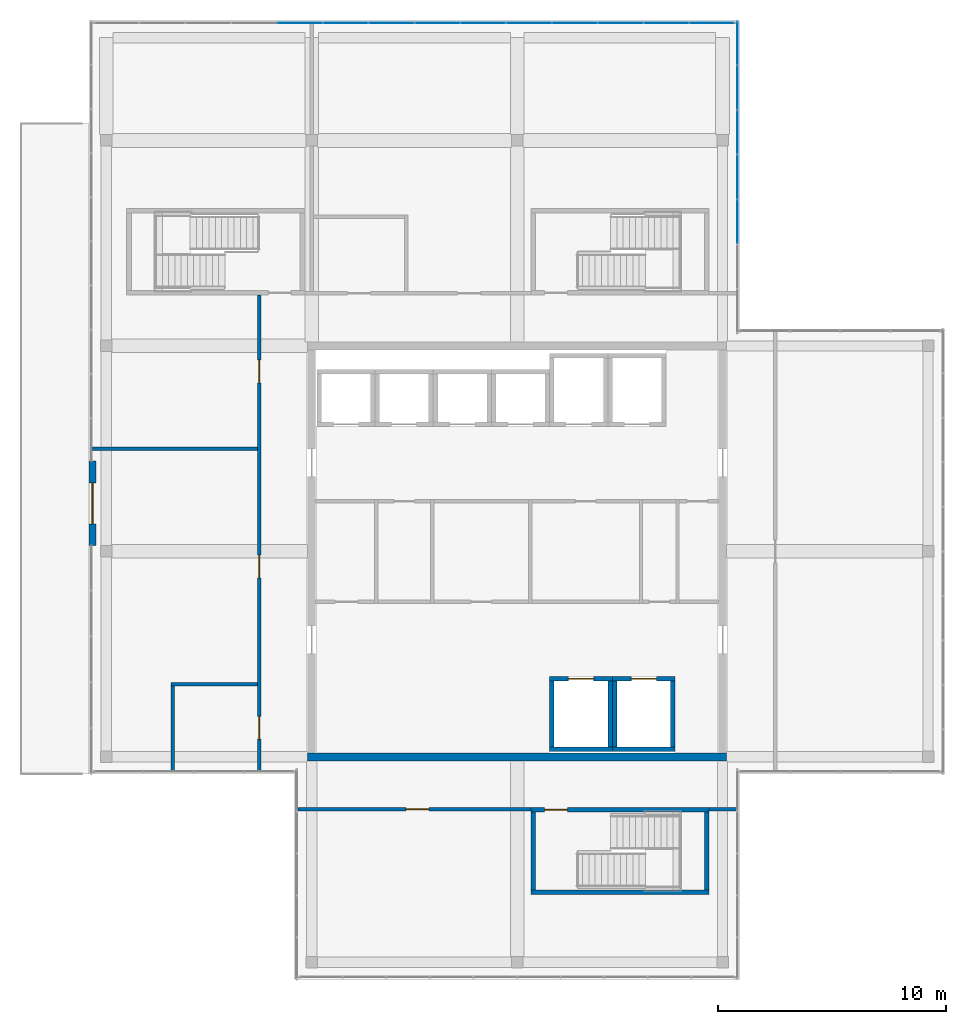
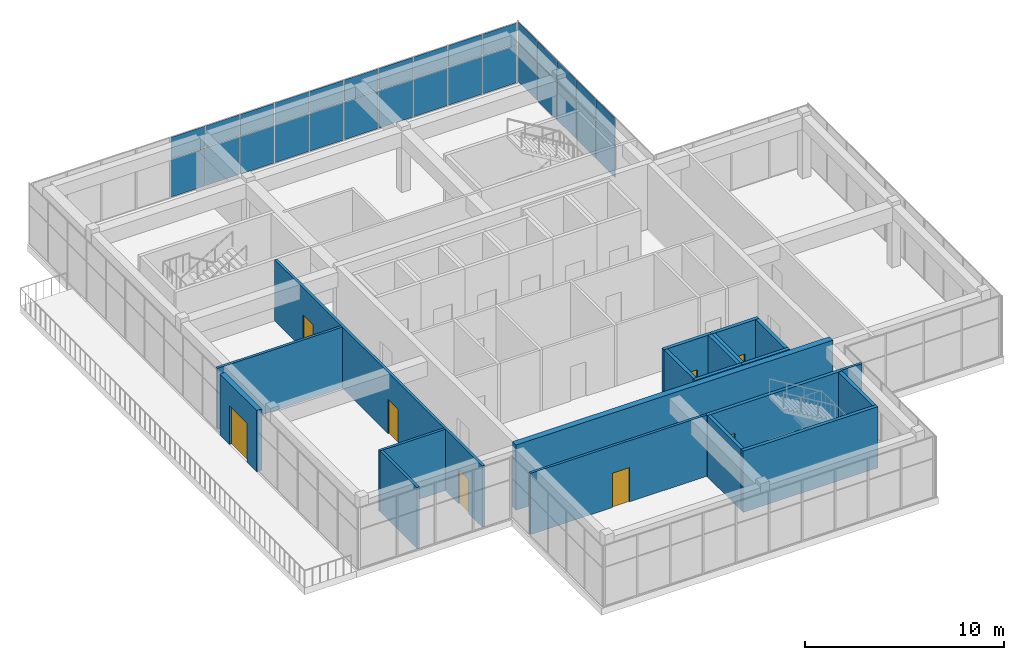
# One storey, part 30 of 34: 30 plates, 20 walls, 8 doors, 8 openings, 2 elements without a shape of their own.
"""IFC4 building model written with IfcOpenShell, lengths in metres."""

from ifc_helpers import new_model, si_unit, direction, frame, frame_2d, origin, origin_2d, place, context, subcontext, project, spatial, rectangle, extrude, material, layer, layer_set, type_object, element, fill, aggregate, save


model = new_model("IFC4")

# Units and contexts
model_context = context("Model", 3, precision=1e-05, world=origin(), true_north=direction((0.0, 1.0)))
body_context = subcontext(model_context, "Body", "Model", "MODEL_VIEW")
ifc_project = project(units=[si_unit("LENGTHUNIT", "METRE"), si_unit("AREAUNIT", "SQUARE_METRE"), si_unit("VOLUMEUNIT", "CUBIC_METRE"), si_unit("PLANEANGLEUNIT", "RADIAN"), si_unit("MASSUNIT", "GRAM", prefix="KILO")], contexts=[model_context])

# Site, building, storey
site_placement = place(None, origin())
site = spatial("IfcSite", under=ifc_project, at=site_placement, CompositionType="ELEMENT")
building_placement = place(site_placement, origin())
building = spatial("IfcBuilding", under=site, at=building_placement, Name="Tuart Plaza Theatre", CompositionType="ELEMENT")
storey_placement = place(building_placement, frame((0.0, 0.0, 53.5)))
storey = spatial("IfcBuildingStorey", under=building, at=storey_placement, Name="L13", CompositionType="ELEMENT", Elevation=53.5)

# Curtain wall, plates
ifc_material_1 = material(Name="Aluminium and glass", Category="aluminium")
ifc_layer_1 = layer(ifc_material_1, 0.10009765625)
ifc_layer_set_1 = layer_set([ifc_layer_1], Name="CURTAIN WALL 2000 module")
curtain_wall_type = type_object("IfcCurtainWallType", Name="CURTAIN WALL 2000 module", PredefinedType="NOTDEFINED", material=ifc_layer_set_1)
curtain_wall_1_placement = place(storey_placement, origin())
curtain_wall_1 = element("IfcCurtainWall", 1, at=curtain_wall_1_placement, inside=storey, type_object=curtain_wall_type, Name="CW116", PredefinedType="NOTDEFINED")
ifc_material_2 = material(Name="Glass", Category="glass")
ifc_layer_2 = layer(ifc_material_2, 0.028076171875)
ifc_layer_set_2 = layer_set([ifc_layer_2], Name="CURTAIN PANEL double glazed 28")
plate_type = type_object("IfcPlateType", Name="CURTAIN PANEL double glazed 28", PredefinedType="CURTAIN_PANEL", material=ifc_layer_set_2)
plate_1_placement = place(storey_placement, frame((141.64990234375, 88.44287109375, 0.0498046875), z_axis=(0.0, 0.0, 1.0), x_axis=(0.0, 1.0, 0.0)))
plate_1 = element("IfcPlate", 2, at=plate_1_placement, type_object=plate_type, Name="CW116 panel 3.1", PredefinedType="CURTAIN_PANEL", context=body_context, shape_type="SweptSolid", body=[
    extrude(rectangle(XDim=1.9072265625, YDim=0.028076171875, at=origin_2d()), origin(), (0.0, 0.0, 1.0), 2.324951171875),
])
plate_2_placement = place(storey_placement, frame((141.64990234375, 88.44287109375, 2.425048828125), z_axis=(0.0, 0.0, 1.0), x_axis=(0.0, 1.0, 0.0)))
plate_2 = element("IfcPlate", 3, at=plate_2_placement, type_object=plate_type, Name="CW116 panel 3.2", PredefinedType="CURTAIN_PANEL", context=body_context, shape_type="SweptSolid", body=[
    extrude(rectangle(XDim=1.9072265625, YDim=0.028076171875, at=origin_2d()), origin(), (0.0, 0.0, 1.0), 1.27490234375),
])
plate_3_placement = place(storey_placement, frame((141.64990234375, 90.39990234375, 0.0498046875), z_axis=(0.0, 0.0, 1.0), x_axis=(0.0, 1.0, 0.0)))
plate_3 = element("IfcPlate", 4, at=plate_3_placement, type_object=plate_type, Name="CW116 panel 4.1", PredefinedType="CURTAIN_PANEL", context=body_context, shape_type="SweptSolid", body=[
    extrude(rectangle(XDim=1.9072265625, YDim=0.028076171875, at=origin_2d()), origin(), (0.0, 0.0, 1.0), 2.324951171875),
])
plate_4_placement = place(storey_placement, frame((141.64990234375, 90.39990234375, 2.425048828125), z_axis=(0.0, 0.0, 1.0), x_axis=(0.0, 1.0, 0.0)))
plate_4 = element("IfcPlate", 5, at=plate_4_placement, type_object=plate_type, Name="CW116 panel 4.2", PredefinedType="CURTAIN_PANEL", context=body_context, shape_type="SweptSolid", body=[
    extrude(rectangle(XDim=1.9072265625, YDim=0.028076171875, at=origin_2d()), origin(), (0.0, 0.0, 1.0), 1.27490234375),
])
plate_5_placement = place(storey_placement, frame((141.64990234375, 92.357177734375, 0.0498046875), z_axis=(0.0, 0.0, 1.0), x_axis=(0.0, 1.0, 0.0)))
plate_5 = element("IfcPlate", 6, at=plate_5_placement, type_object=plate_type, Name="CW116 panel 5.1", PredefinedType="CURTAIN_PANEL", context=body_context, shape_type="SweptSolid", body=[
    extrude(rectangle(XDim=1.9072265625, YDim=0.028076171875, at=origin_2d()), origin(), (0.0, 0.0, 1.0), 2.324951171875),
])
plate_6_placement = place(storey_placement, frame((141.64990234375, 92.357177734375, 2.425048828125), z_axis=(0.0, 0.0, 1.0), x_axis=(0.0, 1.0, 0.0)))
plate_6 = element("IfcPlate", 7, at=plate_6_placement, type_object=plate_type, Name="CW116 panel 5.2", PredefinedType="CURTAIN_PANEL", context=body_context, shape_type="SweptSolid", body=[
    extrude(rectangle(XDim=1.9072265625, YDim=0.028076171875, at=origin_2d()), origin(), (0.0, 0.0, 1.0), 1.27490234375),
])
plate_7_placement = place(storey_placement, frame((141.64990234375, 94.314208984375, 0.0498046875), z_axis=(0.0, 0.0, 1.0), x_axis=(0.0, 1.0, 0.0)))
plate_7 = element("IfcPlate", 8, at=plate_7_placement, type_object=plate_type, Name="CW116 panel 6.1", PredefinedType="CURTAIN_PANEL", context=body_context, shape_type="SweptSolid", body=[
    extrude(rectangle(XDim=1.9072265625, YDim=0.028076171875, at=origin_2d()), origin(), (0.0, 0.0, 1.0), 2.324951171875),
])
plate_8_placement = place(storey_placement, frame((141.64990234375, 94.314208984375, 2.425048828125), z_axis=(0.0, 0.0, 1.0), x_axis=(0.0, 1.0, 0.0)))
plate_8 = element("IfcPlate", 9, at=plate_8_placement, type_object=plate_type, Name="CW116 panel 6.2", PredefinedType="CURTAIN_PANEL", context=body_context, shape_type="SweptSolid", body=[
    extrude(rectangle(XDim=1.9072265625, YDim=0.028076171875, at=origin_2d()), origin(), (0.0, 0.0, 1.0), 1.27490234375),
])
plate_9_placement = place(storey_placement, frame((141.64990234375, 96.259033203125, 0.0498046875), z_axis=(0.0, 0.0, 1.0), x_axis=(0.0, 1.0, 0.0)))
plate_9 = element("IfcPlate", 10, at=plate_9_placement, type_object=plate_type, Name="CW116 panel 7.1", PredefinedType="CURTAIN_PANEL", context=body_context, shape_type="SweptSolid", body=[
    extrude(rectangle(XDim=1.882080078125, YDim=0.028076171875, at=origin_2d()), origin(), (0.0, 0.0, 1.0), 2.324951171875),
])
plate_10_placement = place(storey_placement, frame((141.64990234375, 96.259033203125, 2.425048828125), z_axis=(0.0, 0.0, 1.0), x_axis=(0.0, 1.0, 0.0)))
plate_10 = element("IfcPlate", 11, at=plate_10_placement, type_object=plate_type, Name="CW116 panel 7.2", PredefinedType="CURTAIN_PANEL", context=body_context, shape_type="SweptSolid", body=[
    extrude(rectangle(XDim=1.882080078125, YDim=0.028076171875, at=origin_2d()), origin(), (0.0, 0.0, 1.0), 1.27490234375),
])
aggregate(curtain_wall_1, [plate_1, plate_2, plate_3, plate_4, plate_5, plate_6, plate_7, plate_8, plate_9, plate_10])

curtain_wall_2_placement = place(storey_placement, origin())
curtain_wall_2 = element("IfcCurtainWall", 12, at=curtain_wall_2_placement, inside=storey, type_object=curtain_wall_type, Name="CW117", PredefinedType="NOTDEFINED")
plate_11_placement = place(storey_placement, frame((140.533935546875, 97.14990234375, 0.0498046875), z_axis=(0.0, 0.0, 1.0), x_axis=(-1.0, 0.0, 0.0)))
plate_11 = element("IfcPlate", 13, at=plate_11_placement, type_object=plate_type, Name="CW117 panel 1.1", PredefinedType="CURTAIN_PANEL", context=body_context, shape_type="SweptSolid", body=[
    extrude(rectangle(XDim=1.93212890625, YDim=0.028076171875, at=origin_2d()), origin(), (0.0, 0.0, 1.0), 2.324951171875),
])
plate_12_placement = place(storey_placement, frame((140.533935546875, 97.14990234375, 2.425048828125), z_axis=(0.0, 0.0, 1.0), x_axis=(-1.0, 0.0, 0.0)))
plate_12 = element("IfcPlate", 14, at=plate_12_placement, type_object=plate_type, Name="CW117 panel 1.2", PredefinedType="CURTAIN_PANEL", context=body_context, shape_type="SweptSolid", body=[
    extrude(rectangle(XDim=1.93212890625, YDim=0.028076171875, at=origin_2d()), origin(), (0.0, 0.0, 1.0), 1.27490234375),
])
plate_13_placement = place(storey_placement, frame((138.539306640625, 97.14990234375, 0.0498046875), z_axis=(0.0, 0.0, 1.0), x_axis=(-1.0, 0.0, 0.0)))
plate_13 = element("IfcPlate", 15, at=plate_13_placement, type_object=plate_type, Name="CW117 panel 2.1", PredefinedType="CURTAIN_PANEL", context=body_context, shape_type="SweptSolid", body=[
    extrude(rectangle(XDim=1.95703125, YDim=0.028076171875, at=origin_2d()), origin(), (0.0, 0.0, 1.0), 2.324951171875),
])
plate_14_placement = place(storey_placement, frame((138.539306640625, 97.14990234375, 2.425048828125), z_axis=(0.0, 0.0, 1.0), x_axis=(-1.0, 0.0, 0.0)))
plate_14 = element("IfcPlate", 16, at=plate_14_placement, type_object=plate_type, Name="CW117 panel 2.2", PredefinedType="CURTAIN_PANEL", context=body_context, shape_type="SweptSolid", body=[
    extrude(rectangle(XDim=1.95703125, YDim=0.028076171875, at=origin_2d()), origin(), (0.0, 0.0, 1.0), 1.27490234375),
])
plate_15_placement = place(storey_placement, frame((136.5322265625, 97.14990234375, 0.0498046875), z_axis=(0.0, 0.0, 1.0), x_axis=(-1.0, 0.0, 0.0)))
plate_15 = element("IfcPlate", 17, at=plate_15_placement, type_object=plate_type, Name="CW117 panel 3.1", PredefinedType="CURTAIN_PANEL", context=body_context, shape_type="SweptSolid", body=[
    extrude(rectangle(XDim=1.95703125, YDim=0.028076171875, at=origin_2d()), origin(), (0.0, 0.0, 1.0), 2.324951171875),
])
plate_16_placement = place(storey_placement, frame((136.5322265625, 97.14990234375, 2.425048828125), z_axis=(0.0, 0.0, 1.0), x_axis=(-1.0, 0.0, 0.0)))
plate_16 = element("IfcPlate", 18, at=plate_16_placement, type_object=plate_type, Name="CW117 panel 3.2", PredefinedType="CURTAIN_PANEL", context=body_context, shape_type="SweptSolid", body=[
    extrude(rectangle(XDim=1.95703125, YDim=0.028076171875, at=origin_2d()), origin(), (0.0, 0.0, 1.0), 1.27490234375),
])
plate_17_placement = place(storey_placement, frame((134.52490234375, 97.14990234375, 0.0498046875), z_axis=(0.0, 0.0, 1.0), x_axis=(-1.0, 0.0, 0.0)))
plate_17 = element("IfcPlate", 19, at=plate_17_placement, type_object=plate_type, Name="CW117 panel 4.1", PredefinedType="CURTAIN_PANEL", context=body_context, shape_type="SweptSolid", body=[
    extrude(rectangle(XDim=1.95703125, YDim=0.028076171875, at=origin_2d()), origin(), (0.0, 0.0, 1.0), 2.324951171875),
])
plate_18_placement = place(storey_placement, frame((134.52490234375, 97.14990234375, 2.425048828125), z_axis=(0.0, 0.0, 1.0), x_axis=(-1.0, 0.0, 0.0)))
plate_18 = element("IfcPlate", 20, at=plate_18_placement, type_object=plate_type, Name="CW117 panel 4.2", PredefinedType="CURTAIN_PANEL", context=body_context, shape_type="SweptSolid", body=[
    extrude(rectangle(XDim=1.95703125, YDim=0.028076171875, at=origin_2d()), origin(), (0.0, 0.0, 1.0), 1.27490234375),
])
plate_19_placement = place(storey_placement, frame((132.517822265625, 97.14990234375, 0.0498046875), z_axis=(0.0, 0.0, 1.0), x_axis=(-1.0, 0.0, 0.0)))
plate_19 = element("IfcPlate", 21, at=plate_19_placement, type_object=plate_type, Name="CW117 panel 5.1", PredefinedType="CURTAIN_PANEL", context=body_context, shape_type="SweptSolid", body=[
    extrude(rectangle(XDim=1.95703125, YDim=0.028076171875, at=origin_2d()), origin(), (0.0, 0.0, 1.0), 2.324951171875),
])
plate_20_placement = place(storey_placement, frame((132.517822265625, 97.14990234375, 2.425048828125), z_axis=(0.0, 0.0, 1.0), x_axis=(-1.0, 0.0, 0.0)))
plate_20 = element("IfcPlate", 22, at=plate_20_placement, type_object=plate_type, Name="CW117 panel 5.2", PredefinedType="CURTAIN_PANEL", context=body_context, shape_type="SweptSolid", body=[
    extrude(rectangle(XDim=1.95703125, YDim=0.028076171875, at=origin_2d()), origin(), (0.0, 0.0, 1.0), 1.27490234375),
])
plate_21_placement = place(storey_placement, frame((130.5107421875, 97.14990234375, 0.0498046875), z_axis=(0.0, 0.0, 1.0), x_axis=(-1.0, 0.0, 0.0)))
plate_21 = element("IfcPlate", 23, at=plate_21_placement, type_object=plate_type, Name="CW117 panel 6.1", PredefinedType="CURTAIN_PANEL", context=body_context, shape_type="SweptSolid", body=[
    extrude(rectangle(XDim=1.95703125, YDim=0.028076171875, at=origin_2d()), origin(), (0.0, 0.0, 1.0), 2.324951171875),
])
plate_22_placement = place(storey_placement, frame((130.5107421875, 97.14990234375, 2.425048828125), z_axis=(0.0, 0.0, 1.0), x_axis=(-1.0, 0.0, 0.0)))
plate_22 = element("IfcPlate", 24, at=plate_22_placement, type_object=plate_type, Name="CW117 panel 6.2", PredefinedType="CURTAIN_PANEL", context=body_context, shape_type="SweptSolid", body=[
    extrude(rectangle(XDim=1.95703125, YDim=0.028076171875, at=origin_2d()), origin(), (0.0, 0.0, 1.0), 1.27490234375),
])
plate_23_placement = place(storey_placement, frame((128.503662109375, 97.14990234375, 0.0498046875), z_axis=(0.0, 0.0, 1.0), x_axis=(-1.0, 0.0, 0.0)))
plate_23 = element("IfcPlate", 25, at=plate_23_placement, type_object=plate_type, Name="CW117 panel 7.1", PredefinedType="CURTAIN_PANEL", context=body_context, shape_type="SweptSolid", body=[
    extrude(rectangle(XDim=1.95703125, YDim=0.028076171875, at=origin_2d()), origin(), (0.0, 0.0, 1.0), 2.324951171875),
])
plate_24_placement = place(storey_placement, frame((128.503662109375, 97.14990234375, 2.425048828125), z_axis=(0.0, 0.0, 1.0), x_axis=(-1.0, 0.0, 0.0)))
plate_24 = element("IfcPlate", 26, at=plate_24_placement, type_object=plate_type, Name="CW117 panel 7.2", PredefinedType="CURTAIN_PANEL", context=body_context, shape_type="SweptSolid", body=[
    extrude(rectangle(XDim=1.95703125, YDim=0.028076171875, at=origin_2d()), origin(), (0.0, 0.0, 1.0), 1.27490234375),
])
plate_25_placement = place(storey_placement, frame((126.496337890625, 97.14990234375, 0.0498046875), z_axis=(0.0, 0.0, 1.0), x_axis=(-1.0, 0.0, 0.0)))
plate_25 = element("IfcPlate", 27, at=plate_25_placement, type_object=plate_type, Name="CW117 panel 8.1", PredefinedType="CURTAIN_PANEL", context=body_context, shape_type="SweptSolid", body=[
    extrude(rectangle(XDim=1.95703125, YDim=0.028076171875, at=origin_2d()), origin(), (0.0, 0.0, 1.0), 2.324951171875),
])
plate_26_placement = place(storey_placement, frame((126.496337890625, 97.14990234375, 2.425048828125), z_axis=(0.0, 0.0, 1.0), x_axis=(-1.0, 0.0, 0.0)))
plate_26 = element("IfcPlate", 28, at=plate_26_placement, type_object=plate_type, Name="CW117 panel 8.2", PredefinedType="CURTAIN_PANEL", context=body_context, shape_type="SweptSolid", body=[
    extrude(rectangle(XDim=1.95703125, YDim=0.028076171875, at=origin_2d()), origin(), (0.0, 0.0, 1.0), 1.27490234375),
])
plate_27_placement = place(storey_placement, frame((124.4892578125, 97.14990234375, 0.0498046875), z_axis=(0.0, 0.0, 1.0), x_axis=(-1.0, 0.0, 0.0)))
plate_27 = element("IfcPlate", 29, at=plate_27_placement, type_object=plate_type, Name="CW117 panel 9.1", PredefinedType="CURTAIN_PANEL", context=body_context, shape_type="SweptSolid", body=[
    extrude(rectangle(XDim=1.95703125, YDim=0.028076171875, at=origin_2d()), origin(), (0.0, 0.0, 1.0), 2.324951171875),
])
plate_28_placement = place(storey_placement, frame((124.4892578125, 97.14990234375, 2.425048828125), z_axis=(0.0, 0.0, 1.0), x_axis=(-1.0, 0.0, 0.0)))
plate_28 = element("IfcPlate", 30, at=plate_28_placement, type_object=plate_type, Name="CW117 panel 9.2", PredefinedType="CURTAIN_PANEL", context=body_context, shape_type="SweptSolid", body=[
    extrude(rectangle(XDim=1.95703125, YDim=0.028076171875, at=origin_2d()), origin(), (0.0, 0.0, 1.0), 1.27490234375),
])
plate_29_placement = place(storey_placement, frame((122.482177734375, 97.14990234375, 0.0498046875), z_axis=(0.0, 0.0, 1.0), x_axis=(-1.0, 0.0, 0.0)))
plate_29 = element("IfcPlate", 31, at=plate_29_placement, type_object=plate_type, Name="CW117 panel 10.1", PredefinedType="CURTAIN_PANEL", context=body_context, shape_type="SweptSolid", body=[
    extrude(rectangle(XDim=1.95703125, YDim=0.028076171875, at=origin_2d()), origin(), (0.0, 0.0, 1.0), 2.324951171875),
])
plate_30_placement = place(storey_placement, frame((122.482177734375, 97.14990234375, 2.425048828125), z_axis=(0.0, 0.0, 1.0), x_axis=(-1.0, 0.0, 0.0)))
plate_30 = element("IfcPlate", 32, at=plate_30_placement, type_object=plate_type, Name="CW117 panel 10.2", PredefinedType="CURTAIN_PANEL", context=body_context, shape_type="SweptSolid", body=[
    extrude(rectangle(XDim=1.95703125, YDim=0.028076171875, at=origin_2d()), origin(), (0.0, 0.0, 1.0), 1.27490234375),
])
aggregate(curtain_wall_2, [plate_11, plate_12, plate_13, plate_14, plate_15, plate_16, plate_17, plate_18, plate_19, plate_20, plate_21, plate_22, plate_23, plate_24, plate_25, plate_26, plate_27, plate_28, plate_29, plate_30])

# Wall, opening, door
ifc_material_3 = material(Name="Masonry block", Category="masonry")
ifc_layer_3 = layer(ifc_material_3, 0.14990234375)
ifc_layer_set_3 = layer_set([ifc_layer_3], Name="PARTITION BLK150 MASONRYB FRL 120/-/-")
wall_type_1 = type_object("IfcWallType", Name="PARTITION BLK150 MASONRYB FRL 120/-/-", PredefinedType="PARTITIONING", material=ifc_layer_set_3)
wall_1_placement = place(storey_placement, frame((132.60009765625, 62.699951171875, 0.0), z_axis=(0.0, 0.0, 1.0), x_axis=(-1.0, 0.0, 0.0)))
wall_1 = element("IfcWall", 33, at=wall_1_placement, inside=storey, type_object=wall_type_1, Name="P709", PredefinedType="PARTITIONING", context=body_context, shape_type="SweptSolid", body=[
    extrude(rectangle(XDim=10.2001953125, YDim=0.14990234375, at=frame_2d((5.10009765625, 0.0))), origin(), (0.0, 0.0, 1.0), 3.75),
])
opening_1_placement = place(wall_1_placement, frame((4.465087890625, 0.0, 0.0)))
opening_1 = element("IfcOpeningElement", 34, at=opening_1_placement, cuts=wall_1, Name="Opening L13-025", PredefinedType="OPENING", context=body_context, shape_type="SweptSolid", body=[
    extrude(rectangle(XDim=1.0, YDim=2.10009765625, at=frame_2d((0.5, 1.050048828125))), frame((0.0, 0.0849609375, 0.0), z_axis=(0.0, -1.0, 0.0), x_axis=(1.0, 0.0, 0.0)), (0.0, 0.0, 1.0), 0.169921875),
])
ifc_material_4 = material(Name="Timber", Category="wood")
door_type_1 = type_object("IfcDoorType", Name="DOOR 1000x2100 timber single swing FRL -/60/30", OperationType="SINGLE_SWING_LEFT", PredefinedType="DOOR", material=ifc_material_4)
door_1_placement = place(opening_1_placement, origin())
door_1 = element("IfcDoor", 35, at=door_1_placement, inside=storey, type_object=door_type_1, Name="L13-025", OperationType="SINGLE_SWING_RIGHT", OverallHeight=2.10009765625, OverallWidth=1.0, PredefinedType="DOOR", context=body_context, shape_type="SweptSolid", body=[
    extrude(rectangle(XDim=1.0, YDim=2.10009765625, at=frame_2d((0.5, 1.050048828125))), frame((0.0, 0.02490234375, 0.0), z_axis=(0.0, -1.0, 0.0), x_axis=(1.0, 0.0, 0.0)), (0.0, 0.0, 1.0), 0.050048828125),
])
fill(opening_1, door_1)

# Wall
wall_2_placement = place(storey_placement, frame((141.60009765625, 62.699951171875, 0.0), z_axis=(0.0, 0.0, 1.0), x_axis=(-1.0, 0.0, 0.0)))
element("IfcWall", 36, at=wall_2_placement, inside=storey, type_object=wall_type_1, Name="P710", PredefinedType="PARTITIONING", context=body_context, shape_type="SweptSolid", body=[
    extrude(rectangle(XDim=1.2001953125, YDim=0.14990234375, at=frame_2d((0.60009765625, 0.0))), origin(), (0.0, 0.0, 1.0), 3.75),
])

# Wall, openings, doors
wall_3_placement = place(storey_placement, frame((120.699951171875, 64.39990234375, 0.0), z_axis=(0.0, 0.0, 1.0), x_axis=(0.0, 1.0, 0.0)))
wall_3 = element("IfcWall", 37, at=wall_3_placement, inside=storey, type_object=wall_type_1, Name="P711", PredefinedType="PARTITIONING", context=body_context, shape_type="SweptSolid", body=[
    extrude(rectangle(XDim=20.8251953125, YDim=0.14990234375, at=frame_2d((10.41259765625, 0.0))), origin(), (0.0, 0.0, 1.0), 3.75),
])
opening_2_placement = place(wall_3_placement, frame((1.375, 0.0, 0.0)))
opening_2 = element("IfcOpeningElement", 38, at=opening_2_placement, cuts=wall_3, Name="Opening L13-023", PredefinedType="OPENING", context=body_context, shape_type="SweptSolid", body=[
    extrude(rectangle(XDim=1.0, YDim=2.10009765625, at=frame_2d((0.5, 1.050048828125))), frame((0.0, 0.0849609375, 0.0), z_axis=(0.0, -1.0, 0.0), x_axis=(1.0, 0.0, 0.0)), (0.0, 0.0, 1.0), 0.169921875),
])
opening_3_placement = place(wall_3_placement, frame((8.4375, 0.0, 0.0)))
opening_3 = element("IfcOpeningElement", 39, at=opening_3_placement, cuts=wall_3, Name="Opening L13-026", PredefinedType="OPENING", context=body_context, shape_type="SweptSolid", body=[
    extrude(rectangle(XDim=1.0, YDim=2.10009765625, at=frame_2d((0.5, 1.050048828125))), frame((0.0, 0.0849609375, 0.0), z_axis=(0.0, -1.0, 0.0), x_axis=(1.0, 0.0, 0.0)), (0.0, 0.0, 1.0), 0.169921875),
])
opening_4_placement = place(wall_3_placement, frame((16.985107421875, 0.0, 0.0)))
opening_4 = element("IfcOpeningElement", 40, at=opening_4_placement, cuts=wall_3, Name="Opening L13-028", PredefinedType="OPENING", context=body_context, shape_type="SweptSolid", body=[
    extrude(rectangle(XDim=1.0, YDim=2.10009765625, at=frame_2d((0.5, 1.050048828125))), frame((0.0, 0.0849609375, 0.0), z_axis=(0.0, -1.0, 0.0), x_axis=(1.0, 0.0, 0.0)), (0.0, 0.0, 1.0), 0.169921875),
])
door_2_placement = place(opening_2_placement, origin())
door_2 = element("IfcDoor", 41, at=door_2_placement, inside=storey, type_object=door_type_1, Name="L13-023", OperationType="SINGLE_SWING_LEFT", OverallHeight=2.10009765625, OverallWidth=1.0, PredefinedType="DOOR", context=body_context, shape_type="SweptSolid", body=[
    extrude(rectangle(XDim=1.0, YDim=2.10009765625, at=frame_2d((0.5, 1.050048828125))), frame((0.0, 0.02490234375, 0.0), z_axis=(0.0, -1.0, 0.0), x_axis=(1.0, 0.0, 0.0)), (0.0, 0.0, 1.0), 0.050048828125),
])
fill(opening_2, door_2)
door_3_placement = place(opening_3_placement, origin())
door_3 = element("IfcDoor", 42, at=door_3_placement, inside=storey, type_object=door_type_1, Name="L13-026", OperationType="SINGLE_SWING_RIGHT", OverallHeight=2.10009765625, OverallWidth=1.0, PredefinedType="DOOR", context=body_context, shape_type="SweptSolid", body=[
    extrude(rectangle(XDim=1.0, YDim=2.10009765625, at=frame_2d((0.5, 1.050048828125))), frame((0.0, 0.02490234375, 0.0), z_axis=(0.0, -1.0, 0.0), x_axis=(1.0, 0.0, 0.0)), (0.0, 0.0, 1.0), 0.050048828125),
])
fill(opening_3, door_3)
door_4_placement = place(opening_4_placement, origin())
door_4 = element("IfcDoor", 43, at=door_4_placement, inside=storey, type_object=door_type_1, Name="L13-028", OperationType="SINGLE_SWING_LEFT", OverallHeight=2.10009765625, OverallWidth=1.0, PredefinedType="DOOR", context=body_context, shape_type="SweptSolid", body=[
    extrude(rectangle(XDim=1.0, YDim=2.10009765625, at=frame_2d((0.5, 1.050048828125))), frame((0.0, 0.02490234375, 0.0), z_axis=(0.0, -1.0, 0.0), x_axis=(1.0, 0.0, 0.0)), (0.0, 0.0, 1.0), 0.050048828125),
])
fill(opening_4, door_4)

# Walls
wall_4_placement = place(storey_placement, frame((113.39990234375, 78.5, 0.0), z_axis=(0.0, 0.0, 1.0), x_axis=(1.0, 0.0, 0.0)))
element("IfcWall", 44, at=wall_4_placement, inside=storey, type_object=wall_type_1, Name="P716", PredefinedType="PARTITIONING", context=body_context, shape_type="SweptSolid", body=[
    extrude(rectangle(XDim=7.22607421875, YDim=0.14990234375, at=frame_2d((3.613037109375, 0.0))), origin(), (0.0, 0.0, 1.0), 3.75),
])
wall_5_placement = place(storey_placement, frame((116.925048828125, 64.39990234375, 0.0), z_axis=(0.0, 0.0, 1.0), x_axis=(0.0, 1.0, 0.0)))
element("IfcWall", 45, at=wall_5_placement, inside=storey, type_object=wall_type_1, Name="P717", PredefinedType="PARTITIONING", context=body_context, shape_type="SweptSolid", body=[
    extrude(rectangle(XDim=3.7001953125, YDim=0.14990234375, at=frame_2d((1.85009765625, 0.0))), origin(), (0.0, 0.0, 1.0), 3.75),
])
wall_6_placement = place(storey_placement, frame((120.625, 68.175048828125, 0.0), z_axis=(0.0, 0.0, 1.0), x_axis=(-1.0, 0.0, 0.0)))
element("IfcWall", 46, at=wall_6_placement, inside=storey, type_object=wall_type_1, Name="P718", PredefinedType="PARTITIONING", context=body_context, shape_type="SweptSolid", body=[
    extrude(rectangle(XDim=3.77490234375, YDim=0.14990234375, at=frame_2d((1.887451171875, 0.0))), origin(), (0.0, 0.0, 1.0), 3.75),
])
ifc_material_5 = material(Name="Concrete N40 (40 MPa)", Category="concrete")
ifc_layer_4 = layer(ifc_material_5, 0.199951171875)
ifc_layer_set_4 = layer_set([ifc_layer_4], Name="SHEAR WALL RC200 FRL 120/120/120")
wall_type_2 = type_object("IfcWallType", Name="SHEAR WALL RC200 FRL 120/120/120", PredefinedType="SHEAR", material=ifc_layer_set_4)
wall_7_placement = place(storey_placement, frame((133.425048828125, 65.324951171875, 0.0), z_axis=(0.0, 0.0, 1.0), x_axis=(1.0, 0.0, 0.0)))
element("IfcWall", 47, at=wall_7_placement, inside=storey, type_object=wall_type_2, Name="W1066", PredefinedType="SHEAR", context=body_context, shape_type="SweptSolid", body=[
    extrude(rectangle(XDim=2.75, YDim=0.199951171875, at=frame_2d((1.375, 0.0))), origin(), (0.0, 0.0, 1.0), 4.0),
])
wall_8_placement = place(storey_placement, frame((136.074951171875, 65.425048828125, 0.0), z_axis=(0.0, 0.0, 1.0), x_axis=(0.0, 1.0, 0.0)))
element("IfcWall", 48, at=wall_8_placement, inside=storey, type_object=wall_type_2, Name="W1067", PredefinedType="SHEAR", context=body_context, shape_type="SweptSolid", body=[
    extrude(rectangle(XDim=2.89990234375, YDim=0.199951171875, at=frame_2d((1.449951171875, 0.0))), origin(), (0.0, 0.0, 1.0), 4.0),
])

# Wall, opening, door
wall_9_placement = place(storey_placement, frame((136.175048828125, 68.425048828125, 0.0), z_axis=(0.0, 0.0, 1.0), x_axis=(-1.0, 0.0, 0.0)))
wall_9 = element("IfcWall", 49, at=wall_9_placement, inside=storey, type_object=wall_type_2, Name="W1068", PredefinedType="SHEAR", context=body_context, shape_type="SweptSolid", body=[
    extrude(rectangle(XDim=2.75, YDim=0.199951171875, at=frame_2d((1.375, 0.0))), origin(), (0.0, 0.0, 1.0), 4.0),
])
opening_5_placement = place(wall_9_placement, frame((0.824951171875, 0.0, 0.0)))
opening_5 = element("IfcOpeningElement", 50, at=opening_5_placement, cuts=wall_9, Name="Opening L13-006", PredefinedType="OPENING", context=body_context, shape_type="SweptSolid", body=[
    extrude(rectangle(XDim=1.10009765625, YDim=2.10009765625, at=frame_2d((0.550048828125, 1.050048828125))), frame((0.0, 0.10986328125, 0.0), z_axis=(0.0, -1.0, 0.0), x_axis=(1.0, 0.0, 0.0)), (0.0, 0.0, 1.0), 0.219970703125),
])
ifc_material_6 = material(Name="Steel Grade 300", Category="steel")
door_type_2 = type_object("IfcDoorType", Name="LANDING DOOR 1100x2100 steel sliding FRL -/120/30", OperationType="SLIDING_TO_LEFT", PredefinedType="DOOR", material=ifc_material_6)
door_5_placement = place(opening_5_placement, origin())
door_5 = element("IfcDoor", 51, at=door_5_placement, inside=storey, type_object=door_type_2, Name="L13-006", OperationType="SLIDING_TO_LEFT", OverallHeight=2.10009765625, OverallWidth=1.10009765625, PredefinedType="DOOR", context=body_context, shape_type="SweptSolid", body=[
    extrude(rectangle(XDim=1.10009765625, YDim=2.10009765625, at=frame_2d((0.550048828125, 1.050048828125))), frame((0.0, 0.02490234375, 0.0), z_axis=(0.0, -1.0, 0.0), x_axis=(1.0, 0.0, 0.0)), (0.0, 0.0, 1.0), 0.050048828125),
])
fill(opening_5, door_5)

# Walls
wall_10_placement = place(storey_placement, frame((133.52490234375, 68.324951171875, 0.0), z_axis=(0.0, 0.0, 1.0), x_axis=(0.0, -1.0, 0.0)))
element("IfcWall", 52, at=wall_10_placement, inside=storey, type_object=wall_type_2, Name="W1069", PredefinedType="SHEAR", context=body_context, shape_type="SweptSolid", body=[
    extrude(rectangle(XDim=2.89990234375, YDim=0.199951171875, at=frame_2d((1.449951171875, 0.0))), origin(), (0.0, 0.0, 1.0), 4.0),
])
wall_11_placement = place(storey_placement, frame((136.175048828125, 65.324951171875, 0.0), z_axis=(0.0, 0.0, 1.0), x_axis=(1.0, 0.0, 0.0)))
element("IfcWall", 53, at=wall_11_placement, inside=storey, type_object=wall_type_2, Name="W1142", PredefinedType="SHEAR", context=body_context, shape_type="SweptSolid", body=[
    extrude(rectangle(XDim=2.75, YDim=0.199951171875, at=frame_2d((1.375, 0.0))), origin(), (0.0, 0.0, 1.0), 4.0),
])
wall_12_placement = place(storey_placement, frame((138.824951171875, 65.425048828125, 0.0), z_axis=(0.0, 0.0, 1.0), x_axis=(0.0, 1.0, 0.0)))
element("IfcWall", 54, at=wall_12_placement, inside=storey, type_object=wall_type_2, Name="W1143", PredefinedType="SHEAR", context=body_context, shape_type="SweptSolid", body=[
    extrude(rectangle(XDim=2.89990234375, YDim=0.199951171875, at=frame_2d((1.449951171875, 0.0))), origin(), (0.0, 0.0, 1.0), 4.0),
])

# Wall, opening, door
wall_13_placement = place(storey_placement, frame((138.925048828125, 68.425048828125, 0.0), z_axis=(0.0, 0.0, 1.0), x_axis=(-1.0, 0.0, 0.0)))
wall_13 = element("IfcWall", 55, at=wall_13_placement, inside=storey, type_object=wall_type_2, Name="W1144", PredefinedType="SHEAR", context=body_context, shape_type="SweptSolid", body=[
    extrude(rectangle(XDim=2.75, YDim=0.199951171875, at=frame_2d((1.375, 0.0))), origin(), (0.0, 0.0, 1.0), 4.0),
])
opening_6_placement = place(wall_13_placement, frame((0.824951171875, 0.0, 0.0)))
opening_6 = element("IfcOpeningElement", 56, at=opening_6_placement, cuts=wall_13, Name="Opening L13-007", PredefinedType="OPENING", context=body_context, shape_type="SweptSolid", body=[
    extrude(rectangle(XDim=1.10009765625, YDim=2.10009765625, at=frame_2d((0.550048828125, 1.050048828125))), frame((0.0, 0.10986328125, 0.0), z_axis=(0.0, -1.0, 0.0), x_axis=(1.0, 0.0, 0.0)), (0.0, 0.0, 1.0), 0.219970703125),
])
door_6_placement = place(opening_6_placement, origin())
door_6 = element("IfcDoor", 57, at=door_6_placement, inside=storey, type_object=door_type_2, Name="L13-007", OperationType="SLIDING_TO_LEFT", OverallHeight=2.10009765625, OverallWidth=1.10009765625, PredefinedType="DOOR", context=body_context, shape_type="SweptSolid", body=[
    extrude(rectangle(XDim=1.10009765625, YDim=2.10009765625, at=frame_2d((0.550048828125, 1.050048828125))), frame((0.0, 0.02490234375, 0.0), z_axis=(0.0, -1.0, 0.0), x_axis=(1.0, 0.0, 0.0)), (0.0, 0.0, 1.0), 0.050048828125),
])
fill(opening_6, door_6)

# Walls
wall_14_placement = place(storey_placement, frame((136.27490234375, 68.324951171875, 0.0), z_axis=(0.0, 0.0, 1.0), x_axis=(0.0, -1.0, 0.0)))
element("IfcWall", 58, at=wall_14_placement, inside=storey, type_object=wall_type_2, Name="W1145", PredefinedType="SHEAR", context=body_context, shape_type="SweptSolid", body=[
    extrude(rectangle(XDim=2.89990234375, YDim=0.199951171875, at=frame_2d((1.449951171875, 0.0))), origin(), (0.0, 0.0, 1.0), 4.0),
])
wall_15_placement = place(storey_placement, frame((132.60009765625, 59.074951171875, 0.0), z_axis=(0.0, 0.0, 1.0), x_axis=(1.0, 0.0, 0.0)))
element("IfcWall", 59, at=wall_15_placement, inside=storey, type_object=wall_type_2, Name="P412", PredefinedType="SHEAR", context=body_context, shape_type="SweptSolid", body=[
    extrude(rectangle(XDim=7.7998046875, YDim=0.199951171875, at=frame_2d((3.89990234375, 0.0))), origin(), (0.0, 0.0, 1.0), 3.75),
])
wall_16_placement = place(storey_placement, frame((140.300048828125, 59.175048828125, 0.0), z_axis=(0.0, 0.0, 1.0), x_axis=(0.0, 1.0, 0.0)))
element("IfcWall", 60, at=wall_16_placement, inside=storey, type_object=wall_type_2, Name="P413", PredefinedType="SHEAR", context=body_context, shape_type="SweptSolid", body=[
    extrude(rectangle(XDim=3.39990234375, YDim=0.199951171875, at=frame_2d((1.699951171875, 0.0))), origin(), (0.0, 0.0, 1.0), 3.75),
])

# Wall, opening, door
wall_17_placement = place(storey_placement, frame((140.39990234375, 62.675048828125, 0.0), z_axis=(0.0, 0.0, 1.0), x_axis=(-1.0, 0.0, 0.0)))
wall_17 = element("IfcWall", 61, at=wall_17_placement, inside=storey, type_object=wall_type_2, Name="P414", PredefinedType="SHEAR", context=body_context, shape_type="SweptSolid", body=[
    extrude(rectangle(XDim=7.7998046875, YDim=0.199951171875, at=frame_2d((3.89990234375, 0.0))), origin(), (0.0, 0.0, 1.0), 3.75),
])
opening_7_placement = place(wall_17_placement, frame((6.199951171875, 0.0, 0.0)))
opening_7 = element("IfcOpeningElement", 62, at=opening_7_placement, cuts=wall_17, Name="Opening L13-010", PredefinedType="OPENING", context=body_context, shape_type="SweptSolid", body=[
    extrude(rectangle(XDim=1.0, YDim=2.10009765625, at=frame_2d((0.5, 1.050048828125))), frame((0.0, 0.10986328125, 0.0), z_axis=(0.0, -1.0, 0.0), x_axis=(1.0, 0.0, 0.0)), (0.0, 0.0, 1.0), 0.219970703125),
])
ifc_material_7 = material(Name="Steel Grade 300", Category="steel")
door_type_3 = type_object("IfcDoorType", Name="DOOR 1000x2100 steel single swing FRL -/120/30", OperationType="SINGLE_SWING_LEFT", PredefinedType="DOOR", material=ifc_material_7)
door_7_placement = place(opening_7_placement, origin())
door_7 = element("IfcDoor", 63, at=door_7_placement, inside=storey, type_object=door_type_3, Name="L13-010", OperationType="SINGLE_SWING_LEFT", OverallHeight=2.10009765625, OverallWidth=1.0, PredefinedType="DOOR", context=body_context, shape_type="SweptSolid", body=[
    extrude(rectangle(XDim=1.0, YDim=2.10009765625, at=frame_2d((0.5, 1.050048828125))), frame((0.0, 0.02490234375, 0.0), z_axis=(0.0, -1.0, 0.0), x_axis=(1.0, 0.0, 0.0)), (0.0, 0.0, 1.0), 0.050048828125),
])
fill(opening_7, door_7)

# Walls
wall_18_placement = place(storey_placement, frame((132.699951171875, 62.574951171875, 0.0), z_axis=(0.0, 0.0, 1.0), x_axis=(0.0, -1.0, 0.0)))
element("IfcWall", 64, at=wall_18_placement, inside=storey, type_object=wall_type_2, Name="P415", PredefinedType="SHEAR", context=body_context, shape_type="SweptSolid", body=[
    extrude(rectangle(XDim=3.39990234375, YDim=0.199951171875, at=frame_2d((1.699951171875, 0.0))), origin(), (0.0, 0.0, 1.0), 3.75),
])
ifc_material_8 = material(Name="Concrete N40 (40 MPa)", Category="concrete")
ifc_layer_5 = layer(ifc_material_8, 0.35009765625)
ifc_layer_set_5 = layer_set([ifc_layer_5], Name="SHEAR WALL RC350 FRL 120/120/120")
wall_type_3 = type_object("IfcWallType", Name="SHEAR WALL RC350 FRL 120/120/120", PredefinedType="SHEAR", material=ifc_layer_set_5)
wall_19_placement = place(storey_placement, frame((122.824951171875, 65.0, 0.0), z_axis=(0.0, 0.0, 1.0), x_axis=(1.0, 0.0, 0.0)))
element("IfcWall", 65, at=wall_19_placement, inside=storey, type_object=wall_type_3, Name="W427", PredefinedType="SHEAR", context=body_context, shape_type="SweptSolid", body=[
    extrude(rectangle(XDim=18.35009765625, YDim=0.35009765625, at=frame_2d((9.175048828125, 0.0))), origin(), (0.0, 0.0, 1.0), 4.0),
])

# Wall, opening, door
ifc_material_9 = material(Name="Concrete N40 (40 MPa)", Category="concrete")
ifc_layer_6 = layer(ifc_material_9, 0.300048828125)
ifc_layer_set_6 = layer_set([ifc_layer_6], Name="WALL RC300 EXT clad")
wall_type_4 = type_object("IfcWallType", Name="WALL RC300 EXT clad", PredefinedType="SOLIDWALL", material=ifc_layer_set_6)
wall_20_placement = place(storey_placement, frame((113.39990234375, 77.949951171875, 0.0), z_axis=(0.0, 0.0, 1.0), x_axis=(0.0, -1.0, 0.0)))
wall_20 = element("IfcWall", 66, at=wall_20_placement, inside=storey, type_object=wall_type_4, Name="P131", PredefinedType="SOLIDWALL", context=body_context, shape_type="SweptSolid", body=[
    extrude(rectangle(XDim=3.699951171875, YDim=0.300048828125, at=frame_2d((1.85009765625, 0.0))), origin(), (0.0, 0.0, 1.0), 3.75),
])
opening_8_placement = place(wall_20_placement, frame((0.949951171875, 0.0, 0.0)))
opening_8 = element("IfcOpeningElement", 67, at=opening_8_placement, cuts=wall_20, Name="Opening L13-001", PredefinedType="OPENING", context=body_context, shape_type="SweptSolid", body=[
    extrude(rectangle(XDim=1.800048828125, YDim=2.39990234375, at=frame_2d((0.89990234375, 1.199951171875))), frame((0.0, 0.159912109375, 0.0), z_axis=(0.0, -1.0, 0.0), x_axis=(1.0, 0.0, 0.0)), (0.0, 0.0, 1.0), 0.320068359375),
])
ifc_material_10 = material(Name="Aluminium", Category="aluminium")
door_type_4 = type_object("IfcDoorType", Name="DOOR 1800x2400 aluminium double swing glazed", OperationType="DOUBLE_DOOR_SINGLE_SWING", PredefinedType="DOOR", material=ifc_material_10)
door_8_placement = place(opening_8_placement, frame((1.800048828125, 0.0, 0.0), z_axis=(0.0, 0.0, 1.0), x_axis=(-1.0, 0.0, 0.0)))
door_8 = element("IfcDoor", 68, at=door_8_placement, inside=storey, type_object=door_type_4, Name="L13-001", OperationType="DOUBLE_DOOR_SINGLE_SWING", OverallHeight=2.39990234375, OverallWidth=1.800048828125, PredefinedType="DOOR", context=body_context, shape_type="SweptSolid", body=[
    extrude(rectangle(XDim=1.800048828125, YDim=2.39990234375, at=frame_2d((0.89990234375, 1.199951171875))), frame((0.0, 0.02490234375, 0.0), z_axis=(0.0, -1.0, 0.0), x_axis=(1.0, 0.0, 0.0)), (0.0, 0.0, 1.0), 0.050048828125),
])
fill(opening_8, door_8)

save(model, "model.ifc")
